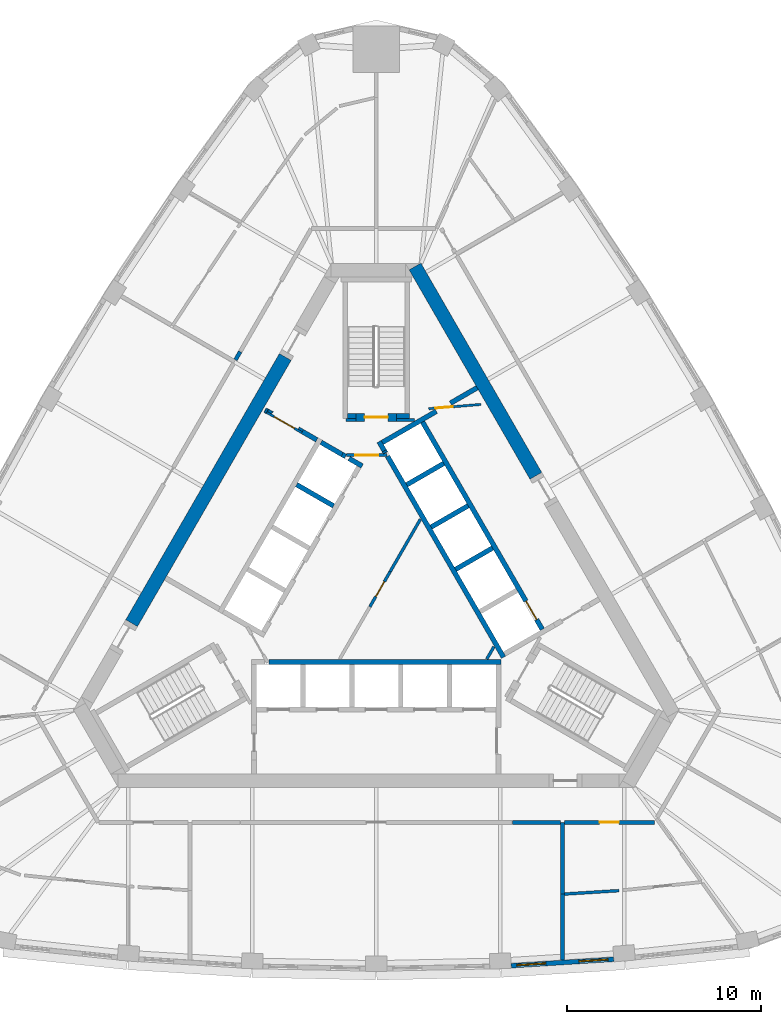
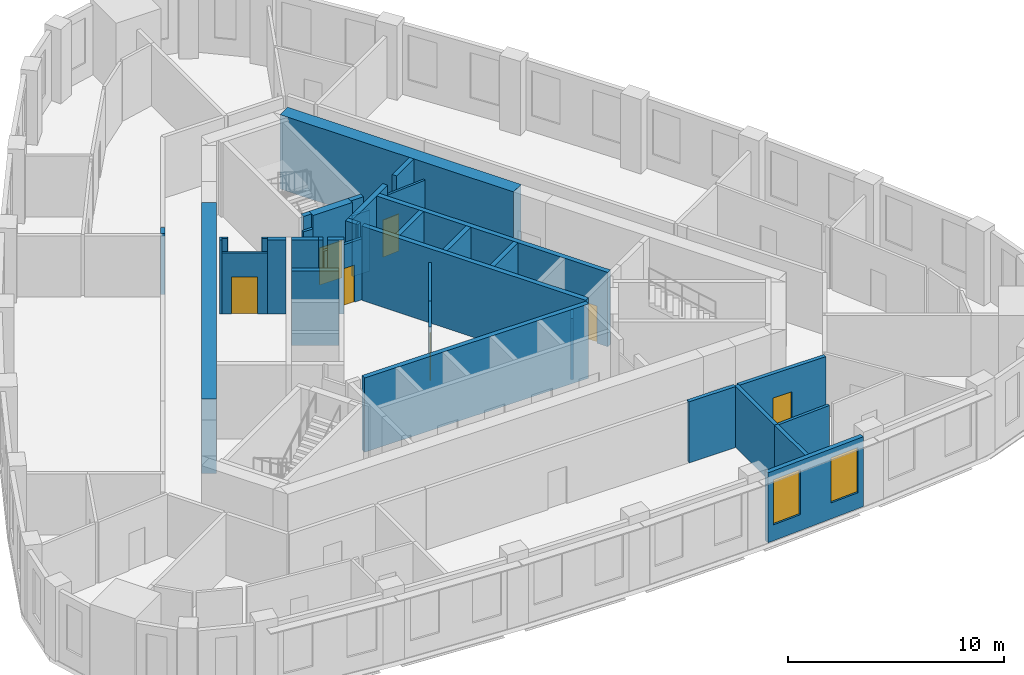
# One storey, part 5 of 10: 38 walls, 7 doors, 2 windows, 9 openings.
"""IFC4 building model written with IfcOpenShell, lengths in metres."""

from ifc_helpers import new_model, si_unit, direction, frame, frame_2d, origin, place, context, subcontext, project, spatial, polyline, rectangle, outline, extrude, material, layer, layer_set, type_object, element, fill, save


model = new_model("IFC4")

# Units and contexts
model_context = context("Model", 3, precision=1e-05, world=origin(), true_north=direction((0.0, 1.0)))
body_context = subcontext(model_context, "Body", "Model", "MODEL_VIEW")
ifc_project = project(units=[si_unit("LENGTHUNIT", "METRE"), si_unit("AREAUNIT", "SQUARE_METRE"), si_unit("VOLUMEUNIT", "CUBIC_METRE"), si_unit("PLANEANGLEUNIT", "RADIAN"), si_unit("MASSUNIT", "GRAM", prefix="KILO")], contexts=[model_context])

# Site, building, storey
site_placement = place(None, origin())
site = spatial("IfcSite", under=ifc_project, at=site_placement, CompositionType="ELEMENT")
building_placement = place(site_placement, origin())
building = spatial("IfcBuilding", under=site, at=building_placement, Name="Mestral Congress Tower", CompositionType="ELEMENT")
storey_placement = place(building_placement, frame((0.0, 0.0, 239.39990234375)))
storey = spatial("IfcBuildingStorey", under=building, at=storey_placement, Name="L56", CompositionType="ELEMENT", Elevation=239.39990234375)

# Walls
ifc_material_1 = material(Name="Fire-rated board partition")
ifc_layer_1 = layer(ifc_material_1, 0.14990234375)
ifc_layer_set_1 = layer_set([ifc_layer_1], Name="Fire-rated board partition")
wall_type_1 = type_object("IfcWallType", Name="Core partition 150", PredefinedType="PARTITIONING", material=ifc_layer_set_1)
wall_1_placement = place(storey_placement, frame((1.050048828125, 8.62548828125, 0.0), z_axis=(0.0, 0.0, 1.0), x_axis=(1.0, 0.0, 0.0)))
element("IfcWall", 1, at=wall_1_placement, inside=storey, type_object=wall_type_1, Name="L56 core wall", PredefinedType="PARTITIONING", context=body_context, shape_type="SweptSolid", body=[
    extrude(rectangle(XDim=0.9287109375, YDim=0.14990234375, at=frame_2d((0.46435546875, 0.0))), origin(), (0.0, 0.0, 1.0), 3.4501953125),
])
wall_2_placement = place(storey_placement, frame((-1.56396484375, 8.62548828125, 0.0), z_axis=(0.0, 0.0, 1.0), x_axis=(1.0, 0.0, 0.0)))
element("IfcWall", 2, at=wall_2_placement, inside=storey, type_object=wall_type_1, Name="L56 core wall", PredefinedType="PARTITIONING", context=body_context, shape_type="SweptSolid", body=[
    extrude(rectangle(XDim=0.513916015625, YDim=0.14990234375, at=frame_2d((0.2568359375, 0.0))), origin(), (0.0, 0.0, 1.0), 3.4501953125),
])
wall_3_placement = place(storey_placement, frame((5.704833984375, -3.718017578125, 0.0), z_axis=(0.0, 0.0, 1.0), x_axis=(0.499962090823, 0.866047289552, 0.0)))
element("IfcWall", 3, at=wall_3_placement, inside=storey, type_object=wall_type_1, Name="L56 core wall", PredefinedType="PARTITIONING", context=body_context, shape_type="SweptSolid", body=[
    extrude(rectangle(XDim=0.73486328125, YDim=0.14990234375, at=frame_2d((0.367431640625, 0.0))), origin(), (0.0, 0.0, 1.0), 3.4501953125),
])
wall_4_placement = place(storey_placement, frame((0.719970703125, 0.796875, 0.0), z_axis=(0.0, 0.0, 1.0), x_axis=(0.499984921984, 0.866034108906, 0.0)))
element("IfcWall", 4, at=wall_4_placement, inside=storey, type_object=wall_type_1, Name="L56 core wall", PredefinedType="PARTITIONING", context=body_context, shape_type="SweptSolid", body=[
    extrude(rectangle(XDim=3.11328125, YDim=0.14990234375, at=frame_2d((1.556640625, 0.0))), origin(), (0.0, 0.0, 1.0), 3.4501953125),
])

# Wall, opening, door
wall_5_placement = place(storey_placement, frame((-0.330078125, -1.021728515625, 0.0), z_axis=(0.0, 0.0, 1.0), x_axis=(0.500027713859, 0.866009402589, 0.0)))
wall_5 = element("IfcWall", 5, at=wall_5_placement, inside=storey, type_object=wall_type_1, Name="L56 door wall", PredefinedType="PARTITIONING", context=body_context, shape_type="SweptSolid", body=[
    extrude(rectangle(XDim=2.10009765625, YDim=0.14990234375, at=frame_2d((1.050048828125, 0.0))), origin(), (0.0, 0.0, 1.0), 3.4501953125),
])
opening_1_placement = place(wall_5_placement, frame((0.60009765625, 0.0, 0.0)))
opening_1 = element("IfcOpeningElement", 6, at=opening_1_placement, cuts=wall_5, Name="Opening CD1-HUB0", PredefinedType="OPENING", context=body_context, shape_type="SweptSolid", body=[
    extrude(rectangle(XDim=0.89990234375, YDim=2.10009765625, at=frame_2d((0.449951171875, 1.050048828125))), frame((0.0, 0.0849609375, 0.0), z_axis=(0.0, -1.0, 0.0), x_axis=(1.0, 0.0, 0.0)), (0.0, 0.0, 1.0), 0.169921875),
])
ifc_material_2 = material(Name="Fire-rated steel door set", Category="steel")
door_type_1 = type_object("IfcDoorType", Name="Core door CD 900x2100", OperationType="SINGLE_SWING_LEFT", PredefinedType="DOOR", material=ifc_material_2)
door_1_placement = place(opening_1_placement, origin())
door_1 = element("IfcDoor", 7, at=door_1_placement, inside=storey, type_object=door_type_1, Name="Door CD1-HUB0", OperationType="SINGLE_SWING_LEFT", OverallHeight=2.10009765625, OverallWidth=0.89990234375, PredefinedType="DOOR", context=body_context, shape_type="SweptSolid", body=[
    extrude(rectangle(XDim=0.89990234375, YDim=2.10009765625, at=frame_2d((0.449951171875, 1.050048828125))), frame((0.0, 0.02490234375, 0.0), z_axis=(0.0, -1.0, 0.0), x_axis=(1.0, 0.0, 0.0)), (0.0, 0.0, 1.0), 0.050048828125),
])
fill(opening_1, door_1)

wall_6_placement = place(storey_placement, frame((-1.534423828125, 6.800048828125, 0.0), z_axis=(0.0, 0.0, 1.0), x_axis=(1.0, 0.0, 0.0)))
wall_6 = element("IfcWall", 8, at=wall_6_placement, inside=storey, type_object=wall_type_1, Name="L56 door wall", PredefinedType="PARTITIONING", context=body_context, shape_type="SweptSolid", body=[
    extrude(rectangle(XDim=2.099853515625, YDim=0.14990234375, at=frame_2d((1.0498046875, 0.0))), origin(), (0.0, 0.0, 1.0), 3.4501953125),
])
opening_2_placement = place(wall_6_placement, frame((0.449951171875, 0.0, 0.0)))
opening_2 = element("IfcOpeningElement", 9, at=opening_2_placement, cuts=wall_6, Name="Opening CD2-FF", PredefinedType="OPENING", context=body_context, shape_type="SweptSolid", body=[
    extrude(rectangle(XDim=1.199951171875, YDim=2.10009765625, at=frame_2d((0.60009765625, 1.050048828125))), frame((0.0, 0.0849609375, 0.0), z_axis=(0.0, -1.0, 0.0), x_axis=(1.0, 0.0, 0.0)), (0.0, 0.0, 1.0), 0.169921875),
])
door_type_2 = type_object("IfcDoorType", Name="Core door CD 1200x2100", OperationType="SINGLE_SWING_LEFT", PredefinedType="DOOR", material=ifc_material_2)
door_2_placement = place(opening_2_placement, origin())
door_2 = element("IfcDoor", 10, at=door_2_placement, inside=storey, type_object=door_type_2, Name="Door CD2-FF", OperationType="SINGLE_SWING_LEFT", OverallHeight=2.10009765625, OverallWidth=1.199951171875, PredefinedType="DOOR", context=body_context, shape_type="SweptSolid", body=[
    extrude(rectangle(XDim=1.199951171875, YDim=2.10009765625, at=frame_2d((0.60009765625, 1.050048828125))), frame((0.0, 0.02490234375, 0.0), z_axis=(0.0, -1.0, 0.0), x_axis=(1.0, 0.0, 0.0)), (0.0, 0.0, 1.0), 0.050048828125),
])
fill(opening_2, door_2)

ifc_layer_2 = layer(ifc_material_1, 0.1201171875)
ifc_layer_set_2 = layer_set([ifc_layer_2], Name="Fire-rated board partition")
wall_type_2 = type_object("IfcWallType", Name="Core partition 150 door-wall 120", PredefinedType="PARTITIONING", material=ifc_layer_set_2)
wall_7_placement = place(storey_placement, frame((5.3984375, 9.418701171875, 0.0), z_axis=(0.0, 0.0, 1.0), x_axis=(-0.996653416376, -0.081743303248, 0.0)))
wall_7 = element("IfcWall", 11, at=wall_7_placement, inside=storey, type_object=wall_type_2, Name="L56 door wall", PredefinedType="PARTITIONING", context=body_context, shape_type="SweptSolid", body=[
    extrude(rectangle(XDim=2.699951171875, YDim=0.119873046875, at=frame_2d((1.35009765625, 0.0))), origin(), (0.0, 0.0, 1.0), 3.4501953125),
])
opening_3_placement = place(wall_7_placement, frame((1.449951171875, 0.0, 0.0)))
opening_3 = element("IfcOpeningElement", 12, at=opening_3_placement, cuts=wall_7, Name="Opening TD2", PredefinedType="OPENING", context=body_context, shape_type="SweptSolid", body=[
    extrude(rectangle(XDim=0.89990234375, YDim=2.10009765625, at=frame_2d((0.449951171875, 1.050048828125))), frame((0.0, 0.06982421875, 0.0), z_axis=(0.0, -1.0, 0.0), x_axis=(1.0, 0.0, 0.0)), (0.0, 0.0, 1.0), 0.139892578125),
])
door_type_3 = type_object("IfcDoorType", Name="Core door SR 900x2100", OperationType="SINGLE_SWING_LEFT", PredefinedType="DOOR", material=ifc_material_2)
door_3_placement = place(opening_3_placement, origin())
door_3 = element("IfcDoor", 13, at=door_3_placement, inside=storey, type_object=door_type_3, Name="Door TD2", OperationType="SINGLE_SWING_LEFT", OverallHeight=2.10009765625, OverallWidth=0.89990234375, PredefinedType="DOOR", context=body_context, shape_type="SweptSolid", body=[
    extrude(rectangle(XDim=0.89990234375, YDim=2.10009765625, at=frame_2d((0.449951171875, 1.050048828125))), frame((0.0, 0.02490234375, 0.0), z_axis=(0.0, -1.0, 0.0), x_axis=(1.0, 0.0, 0.0)), (0.0, 0.0, 1.0), 0.050048828125),
])
fill(opening_3, door_3)

wall_8_placement = place(storey_placement, frame((-5.65869140625, 9.01171875, 0.0), z_axis=(0.0, 0.0, 1.0), x_axis=(0.866009402589, -0.500027713859, 0.0)))
wall_8 = element("IfcWall", 14, at=wall_8_placement, inside=storey, type_object=wall_type_2, Name="L56 door wall", PredefinedType="PARTITIONING", context=body_context, shape_type="SweptSolid", body=[
    extrude(rectangle(XDim=2.10009765625, YDim=0.1201171875, at=frame_2d((1.050048828125, 0.0))), origin(), (0.0, 0.0, 1.0), 3.4501953125),
])
opening_4_placement = place(wall_8_placement, frame((0.449951171875, 0.0, 0.0)))
opening_4 = element("IfcOpeningElement", 15, at=opening_4_placement, cuts=wall_8, Name="Opening LB2-WL2", PredefinedType="OPENING", context=body_context, shape_type="SweptSolid", body=[
    extrude(rectangle(XDim=1.199951171875, YDim=2.10009765625, at=frame_2d((0.60009765625, 1.050048828125))), frame((0.0, 0.070068359375, 0.0), z_axis=(0.0, -1.0, 0.0), x_axis=(1.0, 0.0, 0.0)), (0.0, 0.0, 1.0), 0.14013671875),
])
door_type_4 = type_object("IfcDoorType", Name="Core door LB 1200x2100", OperationType="SINGLE_SWING_LEFT", PredefinedType="DOOR", material=ifc_material_2)
door_4_placement = place(opening_4_placement, origin())
door_4 = element("IfcDoor", 16, at=door_4_placement, inside=storey, type_object=door_type_4, Name="Door LB2-WL2", OperationType="SINGLE_SWING_LEFT", OverallHeight=2.10009765625, OverallWidth=1.199951171875, PredefinedType="DOOR", context=body_context, shape_type="SweptSolid", body=[
    extrude(rectangle(XDim=1.199951171875, YDim=2.10009765625, at=frame_2d((0.60009765625, 1.050048828125))), frame((0.0, 0.02490234375, 0.0), z_axis=(0.0, -1.0, 0.0), x_axis=(1.0, 0.0, 0.0)), (0.0, 0.0, 1.0), 0.050048828125),
])
fill(opening_4, door_4)

# Walls
ifc_material_3 = material(Name="Concrete C60/75", Category="concrete")
ifc_layer_3 = layer(ifc_material_3, 0.699951171875)
ifc_layer_set_3 = layer_set([ifc_layer_3], Name="Concrete C60/75")
wall_type_3 = type_object("IfcWallType", Name="Core wall RC 700", PredefinedType="SOLIDWALL", material=ifc_layer_set_3)
wall_9_placement = place(storey_placement, frame((8.235107421875, 5.736083984375, 0.0), z_axis=(0.0, 0.0, 1.0), x_axis=(-0.499983401189, 0.8660349869, 0.0)))
element("IfcWall", 17, at=wall_9_placement, inside=storey, type_object=wall_type_3, Name="L56 core wall", PredefinedType="SOLIDWALL", context=body_context, shape_type="SweptSolid", body=[
    extrude(rectangle(XDim=12.47216796875, YDim=0.699951171875, at=frame_2d((6.236083984375, 0.0))), origin(), (0.0, 0.0, 1.0), 4.2001953125),
])
wall_10_placement = place(storey_placement, frame((-12.625, -1.866943359375, 0.0), z_axis=(0.0, 0.0, 1.0), x_axis=(0.500008520515, 0.866020484407, 0.0)))
element("IfcWall", 18, at=wall_10_placement, inside=storey, type_object=wall_type_3, Name="L56 core wall", PredefinedType="SOLIDWALL", context=body_context, shape_type="SweptSolid", body=[
    extrude(rectangle(XDim=15.858642578125, YDim=0.699951171875, at=frame_2d((7.92919921875, 0.0))), origin(), (0.0, 0.0, 1.0), 4.2001953125),
])

# Wall, openings, windows
ifc_material_4 = material(Name="Precast concrete C40/50 with limestone facing", Category="masonry")
ifc_layer_4 = layer(ifc_material_4, 0.239990234375)
ifc_layer_set_4 = layer_set([ifc_layer_4], Name="Precast concrete C40/50 with limestone facing")
wall_type_4 = type_object("IfcWallType", Name="Facade stone wall 240", PredefinedType="SOLIDWALL", material=ifc_layer_set_4)
wall_11_placement = place(storey_placement, frame((6.965087890625, -19.54296875, 0.0), z_axis=(0.0, 0.0, 1.0), x_axis=(0.9980633213, 0.062206162685, 0.0)))
wall_11 = element("IfcWall", 19, at=wall_11_placement, inside=storey, type_object=wall_type_4, Name="Facade wall F0-04", PredefinedType="SOLIDWALL", context=body_context, shape_type="SweptSolid", body=[
    extrude(rectangle(XDim=5.29833984375, YDim=0.239990234375, at=frame_2d((2.649169921875, 0.0))), origin(), (0.0, 0.0, 1.0), 3.9501953125),
])
opening_5_placement = place(wall_11_placement, frame((0.294677734375, 0.0, 0.89990234375)))
opening_5 = element("IfcOpeningElement", 20, at=opening_5_placement, cuts=wall_11, Name="Opening W4", PredefinedType="OPENING", context=body_context, shape_type="SweptSolid", body=[
    extrude(rectangle(XDim=1.5, YDim=2.550048828125, at=frame_2d((0.75, 1.27490234375))), frame((0.0, 0.1298828125, 0.0), z_axis=(0.0, -1.0, 0.0), x_axis=(1.0, 0.0, 0.0)), (0.0, 0.0, 1.0), 0.260009765625),
])
opening_6_placement = place(wall_11_placement, frame((3.503662109375, 0.0, 0.89990234375)))
opening_6 = element("IfcOpeningElement", 21, at=opening_6_placement, cuts=wall_11, Name="Opening W4", PredefinedType="OPENING", context=body_context, shape_type="SweptSolid", body=[
    extrude(rectangle(XDim=1.5, YDim=2.550048828125, at=frame_2d((0.75, 1.27490234375))), frame((0.0, 0.1298828125, 0.0), z_axis=(0.0, -1.0, 0.0), x_axis=(1.0, 0.0, 0.0)), (0.0, 0.0, 1.0), 0.260009765625),
])
ifc_material_5 = material(Name="Clear low-emissivity double glazing", Category="glass")
window_type = type_object("IfcWindowType", Name="Facade punched window 1500 x 2550 sill 900", PartitioningType="SINGLE_PANEL", PredefinedType="WINDOW", material=ifc_material_5)
window_1_placement = place(opening_5_placement, origin())
window_1 = element("IfcWindow", 22, at=window_1_placement, inside=storey, type_object=window_type, Name="Window F0-04a", OverallHeight=2.550048828125, OverallWidth=1.5, PartitioningType="SINGLE_PANEL", PredefinedType="WINDOW", context=body_context, shape_type="SweptSolid", body=[
    extrude(rectangle(XDim=1.5, YDim=2.550048828125, at=frame_2d((0.75, 1.27490234375))), frame((0.0, 0.0400390625, 0.0), z_axis=(0.0, -1.0, 0.0), x_axis=(1.0, 0.0, 0.0)), (0.0, 0.0, 1.0), 0.06005859375),
])
fill(opening_5, window_1)
window_2_placement = place(opening_6_placement, origin())
window_2 = element("IfcWindow", 23, at=window_2_placement, inside=storey, type_object=window_type, Name="Window F0-04b", OverallHeight=2.550048828125, OverallWidth=1.5, PartitioningType="SINGLE_PANEL", PredefinedType="WINDOW", context=body_context, shape_type="SweptSolid", body=[
    extrude(rectangle(XDim=1.5, YDim=2.550048828125, at=frame_2d((0.75, 1.27490234375))), frame((0.0, 0.0400390625, 0.0), z_axis=(0.0, -1.0, 0.0), x_axis=(1.0, 0.0, 0.0)), (0.0, 0.0, 1.0), 0.06005859375),
])
fill(opening_6, window_2)

# Walls
ifc_material_6 = material(Name="Plasterboard partition on steel studs", Category="steel")
ifc_layer_5 = layer(ifc_material_6, 0.14990234375)
ifc_layer_set_5 = layer_set([ifc_layer_5], Name="Plasterboard partition on steel studs")
wall_type_5 = type_object("IfcWallType", Name="Office partition 150", PredefinedType="PARTITIONING", material=ifc_layer_set_5)
wall_12_placement = place(storey_placement, frame((9.7197265625, -15.844482421875, 0.0), z_axis=(0.0, 0.0, 1.0), x_axis=(0.998063411199, 0.062204720286, 0.0)))
element("IfcWall", 24, at=wall_12_placement, inside=storey, type_object=wall_type_5, Name="Partition", PredefinedType="PARTITIONING", context=body_context, shape_type="SweptSolid", body=[
    extrude(rectangle(XDim=2.80224609375, YDim=0.14990234375, at=frame_2d((1.401123046875, 0.0))), origin(), (0.0, 0.0, 1.0), 3.4501953125),
])
ifc_material_7 = material(Name="Dense masonry wall, plastered", Category="masonry")
ifc_layer_6 = layer(ifc_material_7, 0.199951171875)
ifc_layer_set_6 = layer_set([ifc_layer_6], Name="Dense masonry wall, plastered")
wall_type_6 = type_object("IfcWallType", Name="Office tenancy wall 200", PredefinedType="PARTITIONING", material=ifc_layer_set_6)
wall_13_placement = place(storey_placement, frame((9.61962890625, -15.8466796875, 0.0), z_axis=(0.0, 0.0, 1.0), x_axis=(0.0, -1.0, 0.0)))
element("IfcWall", 25, at=wall_13_placement, inside=storey, type_object=wall_type_6, Name="Tenancy wall", PredefinedType="PARTITIONING", context=body_context, shape_type="SweptSolid", body=[
    extrude(rectangle(XDim=3.41064453125, YDim=0.199951171875, at=frame_2d((1.705322265625, 0.0))), origin(), (0.0, 0.0, 1.0), 3.4501953125),
])
wall_14_placement = place(storey_placement, frame((9.61962890625, -12.14990234375, 0.0), z_axis=(0.0, 0.0, 1.0), x_axis=(0.0, -1.0, 0.0)))
element("IfcWall", 26, at=wall_14_placement, inside=storey, type_object=wall_type_6, Name="Tenancy wall", PredefinedType="PARTITIONING", context=body_context, shape_type="SweptSolid", body=[
    extrude(rectangle(XDim=3.704833984375, YDim=0.199951171875, at=frame_2d((1.8525390625, 0.0))), origin(), (0.0, 0.0, 1.0), 3.4501953125),
])
wall_15_placement = place(storey_placement, frame((7.030029296875, -12.14990234375, 0.0), z_axis=(0.0, 0.0, 1.0), x_axis=(1.0, 0.0, 0.0)))
element("IfcWall", 27, at=wall_15_placement, inside=storey, type_object=wall_type_6, Name="Tenancy wall", PredefinedType="PARTITIONING", context=body_context, shape_type="SweptSolid", body=[
    extrude(rectangle(XDim=2.48974609375, YDim=0.199951171875, at=frame_2d((1.244873046875, 0.0))), origin(), (0.0, 0.0, 1.0), 3.4501953125),
])

# Wall, opening, door
wall_16_placement = place(storey_placement, frame((9.7197265625, -12.14990234375, 0.0), z_axis=(0.0, 0.0, 1.0), x_axis=(1.0, 0.0, 0.0)))
wall_16 = element("IfcWall", 28, at=wall_16_placement, inside=storey, type_object=wall_type_6, Name="Tenancy wall", PredefinedType="PARTITIONING", context=body_context, shape_type="SweptSolid", body=[
    extrude(rectangle(XDim=4.62744140625, YDim=0.199951171875, at=frame_2d((2.313720703125, 0.0))), origin(), (0.0, 0.0, 1.0), 3.4501953125),
])
opening_7_placement = place(wall_16_placement, frame((1.800048828125, 0.0, 0.0)))
opening_7 = element("IfcOpeningElement", 29, at=opening_7_placement, cuts=wall_16, Name="Opening O09-003", PredefinedType="OPENING", context=body_context, shape_type="SweptSolid", body=[
    extrude(rectangle(XDim=1.0, YDim=2.10009765625, at=frame_2d((0.5, 1.050048828125))), frame((0.0, 0.10986328125, 0.0), z_axis=(0.0, -1.0, 0.0), x_axis=(1.0, 0.0, 0.0)), (0.0, 0.0, 1.0), 0.219970703125),
])
ifc_material_8 = material(Name="Fire-rated timber door set", Category="wood")
door_type_5 = type_object("IfcDoorType", Name="Office tenancy entrance door 1000x2100", OperationType="SINGLE_SWING_LEFT", PredefinedType="DOOR", material=ifc_material_8)
door_5_placement = place(opening_7_placement, origin())
door_5 = element("IfcDoor", 30, at=door_5_placement, inside=storey, type_object=door_type_5, Name="Door O09-003", OperationType="SINGLE_SWING_LEFT", OverallHeight=2.10009765625, OverallWidth=1.0, PredefinedType="DOOR", context=body_context, shape_type="SweptSolid", body=[
    extrude(rectangle(XDim=1.0, YDim=2.10009765625, at=frame_2d((0.5, 1.050048828125))), frame((0.0, 0.02490234375, 0.0), z_axis=(0.0, -1.0, 0.0), x_axis=(1.0, 0.0, 0.0)), (0.0, 0.0, 1.0), 0.050048828125),
])
fill(opening_7, door_5)

# Walls
wall_17_placement = place(storey_placement, frame((-7.022216796875, 12.13720703125, 0.0), z_axis=(0.0, 0.0, 1.0), x_axis=(-0.500159754115, -0.865933150054, 0.0)))
element("IfcWall", 31, at=wall_17_placement, inside=storey, type_object=wall_type_6, Name="Tenancy wall", PredefinedType="PARTITIONING", context=body_context, shape_type="SweptSolid", body=[
    extrude(rectangle(XDim=0.483154296875, YDim=0.199951171875, at=frame_2d((0.24169921875, 0.0))), origin(), (0.0, 0.0, 1.0), 3.4501953125),
])
ifc_layer_7 = layer(ifc_material_3, 0.25)
ifc_layer_set_7 = layer_set([ifc_layer_7], Name="Concrete C60/75")
wall_type_7 = type_object("IfcWallType", Name="Shaft wall RC 250", PredefinedType="SOLIDWALL", material=ifc_layer_set_7)
wall_18_placement = place(storey_placement, frame((-5.544921875, -3.875, 0.0), z_axis=(0.0, 0.0, 1.0), x_axis=(1.0, 0.0, 0.0)))
element("IfcWall", 32, at=wall_18_placement, inside=storey, type_object=wall_type_7, Name="L56 core wall", PredefinedType="SOLIDWALL", context=body_context, shape_type="SweptSolid", body=[
    extrude(rectangle(XDim=11.969970703125, YDim=0.25, at=frame_2d((5.98486328125, 0.0))), origin(), (0.0, 0.0, 1.0), 4.2001953125),
])
wall_19_placement = place(storey_placement, frame((0.473388671875, 6.93017578125, 0.0), z_axis=(0.0, 0.0, 1.0), x_axis=(-0.49972245349, 0.866185586049, 0.0)))
element("IfcWall", 33, at=wall_19_placement, inside=storey, type_object=wall_type_7, Name="L56 core wall", PredefinedType="SOLIDWALL", context=body_context, shape_type="SweptSolid", body=[
    extrude(rectangle(XDim=0.10986328125, YDim=0.25, at=frame_2d((0.054931640625, 0.0))), origin(), (0.0, 0.0, 1.0), 4.2001953125),
])
wall_20_placement = place(storey_placement, frame((6.568359375, -3.626708984375, 0.0), z_axis=(0.0, 0.0, 1.0), x_axis=(-0.499999455981, 0.866025717874, 0.0)))
element("IfcWall", 34, at=wall_20_placement, inside=storey, type_object=wall_type_7, Name="L56 core wall", PredefinedType="SOLIDWALL", context=body_context, shape_type="SweptSolid", body=[
    extrude(rectangle(XDim=11.97802734375, YDim=0.25, at=frame_2d((5.989013671875, 0.0))), origin(), (0.0, 0.0, 1.0), 4.2001953125),
])
wall_21_placement = place(storey_placement, frame((0.41748046875, 7.027099609375, 0.0), z_axis=(0.0, 0.0, 1.0), x_axis=(-0.500210807569, 0.865903659763, 0.0)))
element("IfcWall", 35, at=wall_21_placement, inside=storey, type_object=wall_type_7, Name="L56 core wall", PredefinedType="SOLIDWALL", context=body_context, shape_type="SweptSolid", body=[
    extrude(rectangle(XDim=0.548095703125, YDim=0.25, at=frame_2d((0.27392578125, 0.0))), origin(), (0.0, 0.0, 1.0), 4.2001953125),
])
wall_22_placement = place(storey_placement, frame((3.10009765625, 9.064453125, 0.0), z_axis=(0.0, 0.0, 1.0), x_axis=(-0.866030133475, -0.499991807846, 0.0)))
element("IfcWall", 36, at=wall_22_placement, inside=storey, type_object=wall_type_7, Name="L56 core wall", PredefinedType="SOLIDWALL", context=body_context, shape_type="SweptSolid", body=[
    extrude(rectangle(XDim=3.216796875, YDim=0.25, at=frame_2d((1.6083984375, 0.0))), origin(), (0.0, 0.0, 1.0), 4.2001953125),
])
wall_23_placement = place(storey_placement, frame((1.57421875, 5.273681640625, 0.0), z_axis=(0.0, 0.0, 1.0), x_axis=(0.866028486751, 0.499994660107, 0.0)))
element("IfcWall", 37, at=wall_23_placement, inside=storey, type_object=wall_type_7, Name="L56 core wall", PredefinedType="SOLIDWALL", context=body_context, shape_type="SweptSolid", body=[
    extrude(rectangle(XDim=2.19970703125, YDim=0.25, at=frame_2d((1.099853515625, 0.0))), origin(), (0.0, 0.0, 1.0), 4.2001953125),
])
for number, where, z_axis, x_axis, name in (
    (38, (2.833984375, 3.091064453125, 0.0), (0.0, 0.0, 1.0), (0.866008176907, 0.50002983664, 0.0), "L56 core wall"),
    (39, (4.093994140625, 0.90869140625, 0.0), (0.0, 0.0, 1.0), (0.866008176907, 0.50002983664, 0.0), "L56 core wall"),
):
    element("IfcWall", number, at=place(storey_placement, frame(where, z_axis=z_axis, x_axis=x_axis)), inside=storey, type_object=wall_type_7, Name=name, PredefinedType="SOLIDWALL", context=body_context, shape_type="SweptSolid", body=[
        extrude(rectangle(XDim=2.199951171875, YDim=0.25, at=frame_2d((1.10009765625, 0.0))), origin(), (0.0, 0.0, 1.0), 4.2001953125),
    ])
wall_24_placement = place(storey_placement, frame((3.82958984375, 9.485595703125, 0.0), z_axis=(0.0, 0.0, 1.0), x_axis=(0.865986202621, 0.500067892261, 0.0)))
element("IfcWall", 40, at=wall_24_placement, inside=storey, type_object=wall_type_7, Name="L56 core wall", PredefinedType="SOLIDWALL", context=body_context, shape_type="SweptSolid", body=[
    extrude(rectangle(XDim=1.590576171875, YDim=0.25, at=frame_2d((0.79541015625, 0.0))), origin(), (0.0, 0.0, 1.0), 4.2001953125),
])
wall_25_placement = place(storey_placement, frame((-1.75830078125, 6.834716796875, 0.0), z_axis=(0.0, 0.0, 1.0), x_axis=(0.865982457891, -0.500074377092, 0.0)))
element("IfcWall", 41, at=wall_25_placement, inside=storey, type_object=wall_type_7, Name="L56 core wall", PredefinedType="SOLIDWALL", context=body_context, shape_type="SweptSolid", body=[
    extrude(rectangle(XDim=0.2001953125, YDim=0.25, at=frame_2d((0.10009765625, 0.0))), origin(), (0.0, 0.0, 1.0), 4.2001953125),
])
wall_26_placement = place(storey_placement, frame((-1.760009765625, 6.835693359375, 0.0), z_axis=(0.0, 0.0, 1.0), x_axis=(-0.865952863304, 0.500125622755, 0.0)))
element("IfcWall", 42, at=wall_26_placement, inside=storey, type_object=wall_type_7, Name="L56 core wall", PredefinedType="SOLIDWALL", context=body_context, shape_type="SweptSolid", body=[
    extrude(rectangle(XDim=1.258056640625, YDim=0.25, at=frame_2d((0.62890625, 0.0))), origin(), (0.0, 0.0, 1.0), 4.2001953125),
])
wall_27_placement = place(storey_placement, frame((-0.7275390625, 6.23974609375, 0.0), z_axis=(0.0, 0.0, 1.0), x_axis=(-0.865955664968, 0.500120771724, 0.0)))
element("IfcWall", 43, at=wall_27_placement, inside=storey, type_object=wall_type_7, Name="L56 core wall", PredefinedType="SOLIDWALL", context=body_context, shape_type="SweptSolid", body=[
    extrude(rectangle(XDim=0.778076171875, YDim=0.25, at=frame_2d((0.38916015625, 0.0))), origin(), (0.0, 0.0, 1.0), 4.2001953125),
])
wall_28_placement = place(storey_placement, frame((-2.2041015625, 4.182373046875, 0.0), z_axis=(0.0, 0.0, 1.0), x_axis=(-0.866008176907, 0.50002983664, 0.0)))
element("IfcWall", 44, at=wall_28_placement, inside=storey, type_object=wall_type_7, Name="L56 core wall", PredefinedType="SOLIDWALL", context=body_context, shape_type="SweptSolid", body=[
    extrude(rectangle(XDim=2.199951171875, YDim=0.25, at=frame_2d((1.10009765625, 0.0))), origin(), (0.0, 0.0, 1.0), 4.2001953125),
])
wall_29_placement = place(storey_placement, frame((-5.724609375, 9.124755859375, 0.0), z_axis=(0.0, 0.0, 1.0), x_axis=(0.866185586049, -0.49972245349, 0.0)))
element("IfcWall", 45, at=wall_29_placement, inside=storey, type_object=wall_type_7, Name="L56 core wall", PredefinedType="SOLIDWALL", context=body_context, shape_type="SweptSolid", body=[
    extrude(rectangle(XDim=0.10986328125, YDim=0.25, at=frame_2d((0.054931640625, 0.0))), origin(), (0.0, 0.0, 1.0), 4.2001953125),
])
wall_30_placement = place(storey_placement, frame((-3.06591796875, 7.58984375, 0.0), z_axis=(0.0, 0.0, 1.0), x_axis=(-0.866081358704, 0.49990307071, 0.0)))
element("IfcWall", 46, at=wall_30_placement, inside=storey, type_object=wall_type_7, Name="L56 core wall", PredefinedType="SOLIDWALL", context=body_context, shape_type="SweptSolid", body=[
    extrude(rectangle(XDim=0.858154296875, YDim=0.25, at=frame_2d((0.42919921875, 0.0))), origin(), (0.0, 0.0, 1.0), 4.2001953125),
])
placement = place(storey_placement, origin())
element("IfcWall", 47, at=placement, inside=storey, type_object=wall_type_7, Name="L56 core wall", PredefinedType="SOLIDWALL", context=body_context, shape_type="SweptSolid", body=[
    extrude(outline(polyline([(-3.748291015625, 8.1279296875), (-3.813232421875, 8.015380859375), (-4.026611328125, 8.138671875), (-4.0166015625, 8.156005859375), (-4.007568359375, 8.17333984375), (-4.000244140625, 8.191650390625), (-3.994873046875, 8.21044921875), (-3.991455078125, 8.229736328125), (-3.98974609375, 8.24951171875), (-3.989990234375, 8.267578125), (-3.748291015625, 8.1279296875)])), origin(), (0.0, 0.0, 1.0), 4.2001953125),
])
element("IfcWall", 48, at=placement, inside=storey, type_object=wall_type_7, Name="L56 core wall", PredefinedType="SOLIDWALL", context=body_context, shape_type="SweptSolid", body=[
    extrude(outline(polyline([(-5.688720703125, 8.959716796875), (-5.690185546875, 8.960693359375), (-5.565185546875, 9.177001953125), (-5.318603515625, 9.03466796875), (-5.334716796875, 9.02587890625), (-5.3505859375, 9.0146484375), (-5.36572265625, 9.001953125), (-5.37939453125, 8.98779296875), (-5.3916015625, 8.972412109375), (-5.402099609375, 8.955810546875), (-5.412109375, 8.938720703125), (-5.628662109375, 9.063720703125), (-5.628662109375, 9.063720703125), (-5.688720703125, 8.959716796875)])), origin(), (0.0, 0.0, 1.0), 4.2001953125),
])

# Wall, opening, door
wall_33_placement = place(storey_placement, frame((8.565185546875, -2.185302734375, 0.0), z_axis=(0.0, 0.0, 1.0), x_axis=(-0.499997954832, 0.866026584559, 0.0)))
wall_33 = element("IfcWall", 49, at=wall_33_placement, inside=storey, type_object=wall_type_7, Name="L56 door wall", PredefinedType="SOLIDWALL", context=body_context, shape_type="SweptSolid", body=[
    extrude(rectangle(XDim=12.35009765625, YDim=0.25, at=frame_2d((6.175048828125, 0.0))), origin(), (0.0, 0.0, 1.0), 4.2001953125),
])
opening_8_placement = place(wall_33_placement, frame((0.5849609375, 0.0, 0.0)))
opening_8 = element("IfcOpeningElement", 50, at=opening_8_placement, cuts=wall_33, Name="Opening LD-NEB1", PredefinedType="OPENING", context=body_context, shape_type="SweptSolid", body=[
    extrude(rectangle(XDim=1.10009765625, YDim=2.10009765625, at=frame_2d((0.550048828125, 1.050048828125))), frame((0.0, 0.135009765625, 0.0), z_axis=(0.0, -1.0, 0.0), x_axis=(1.0, 0.0, 0.0)), (0.0, 0.0, 1.0), 0.27001953125),
])
door_type_6 = type_object("IfcDoorType", Name="Core door LD 1100x2100", OperationType="DOUBLE_DOOR_SLIDING", PredefinedType="DOOR", material=ifc_material_2)
door_6_placement = place(opening_8_placement, origin())
door_6 = element("IfcDoor", 51, at=door_6_placement, inside=storey, type_object=door_type_6, Name="Door LD-NEB1", OperationType="DOUBLE_DOOR_SLIDING", OverallHeight=2.10009765625, OverallWidth=1.10009765625, PredefinedType="DOOR", context=body_context, shape_type="SweptSolid", body=[
    extrude(rectangle(XDim=1.10009765625, YDim=2.10009765625, at=frame_2d((0.550048828125, 1.050048828125))), frame((0.0, 0.02490234375, 0.0), z_axis=(0.0, -1.0, 0.0), x_axis=(1.0, 0.0, 0.0)), (0.0, 0.0, 1.0), 0.050048828125),
])
fill(opening_8, door_6)

# Walls
ifc_layer_8 = layer(ifc_material_3, 0.25)
ifc_layer_set_8 = layer_set([ifc_layer_8], Name="Concrete C60/75")
wall_type_8 = type_object("IfcWallType", Name="Stair wall RC 250", PredefinedType="SOLIDWALL", material=ifc_layer_set_8)
wall_34_placement = place(storey_placement, frame((1.050048828125, 8.824951171875, 0.0), z_axis=(0.0, 0.0, 1.0), x_axis=(1.0, 0.0, 0.0)))
element("IfcWall", 52, at=wall_34_placement, inside=storey, type_object=wall_type_8, Name="L56 core wall", PredefinedType="SOLIDWALL", context=body_context, shape_type="SweptSolid", body=[
    extrude(rectangle(XDim=0.675048828125, YDim=0.25, at=frame_2d((0.33740234375, 0.0))), origin(), (0.0, 0.0, 1.0), 4.2001953125),
])
wall_35_placement = place(storey_placement, frame((-1.47509765625, 8.824951171875, 0.0), z_axis=(0.0, 0.0, 1.0), x_axis=(1.0, 0.0, 0.0)))
element("IfcWall", 53, at=wall_35_placement, inside=storey, type_object=wall_type_8, Name="L56 core wall", PredefinedType="SOLIDWALL", context=body_context, shape_type="SweptSolid", body=[
    extrude(rectangle(XDim=0.425048828125, YDim=0.25, at=frame_2d((0.21240234375, 0.0))), origin(), (0.0, 0.0, 1.0), 4.2001953125),
])

# Wall, opening, door
ifc_layer_9 = layer(ifc_material_3, 0.39990234375)
ifc_layer_set_9 = layer_set([ifc_layer_9], Name="Concrete C60/75")
wall_type_9 = type_object("IfcWallType", Name="Stair wall RC 250 door-wall 400", PredefinedType="SOLIDWALL", material=ifc_layer_set_9)
wall_36_placement = place(storey_placement, frame((1.050048828125, 8.75, 0.0), z_axis=(0.0, 0.0, 1.0), x_axis=(-1.0, 0.0, 0.0)))
wall_36 = element("IfcWall", 54, at=wall_36_placement, inside=storey, type_object=wall_type_9, Name="L56 door wall", PredefinedType="SOLIDWALL", context=body_context, shape_type="SweptSolid", body=[
    extrude(rectangle(XDim=2.10009765625, YDim=0.39990234375, at=frame_2d((1.050048828125, 0.0))), origin(), (0.0, 0.0, 1.0), 4.2001953125),
])
opening_9_placement = place(wall_36_placement, frame((0.449951171875, 0.0, 0.0)))
opening_9 = element("IfcOpeningElement", 55, at=opening_9_placement, cuts=wall_36, Name="Opening ST-D2", PredefinedType="OPENING", context=body_context, shape_type="SweptSolid", body=[
    extrude(rectangle(XDim=1.199951171875, YDim=2.10009765625, at=frame_2d((0.60009765625, 1.050048828125))), frame((0.0, 0.2099609375, 0.0), z_axis=(0.0, -1.0, 0.0), x_axis=(1.0, 0.0, 0.0)), (0.0, 0.0, 1.0), 0.419921875),
])
door_type_7 = type_object("IfcDoorType", Name="Core door ST 1200x2100", OperationType="SINGLE_SWING_LEFT", PredefinedType="DOOR", material=ifc_material_2)
door_7_placement = place(opening_9_placement, origin())
door_7 = element("IfcDoor", 56, at=door_7_placement, inside=storey, type_object=door_type_7, Name="Door ST-D2", OperationType="SINGLE_SWING_LEFT", OverallHeight=2.10009765625, OverallWidth=1.199951171875, PredefinedType="DOOR", context=body_context, shape_type="SweptSolid", body=[
    extrude(rectangle(XDim=1.199951171875, YDim=2.10009765625, at=frame_2d((0.60009765625, 1.050048828125))), frame((0.0, 0.02490234375, 0.0), z_axis=(0.0, -1.0, 0.0), x_axis=(1.0, 0.0, 0.0)), (0.0, 0.0, 1.0), 0.050048828125),
])
fill(opening_9, door_7)

save(model, "model.ifc")
